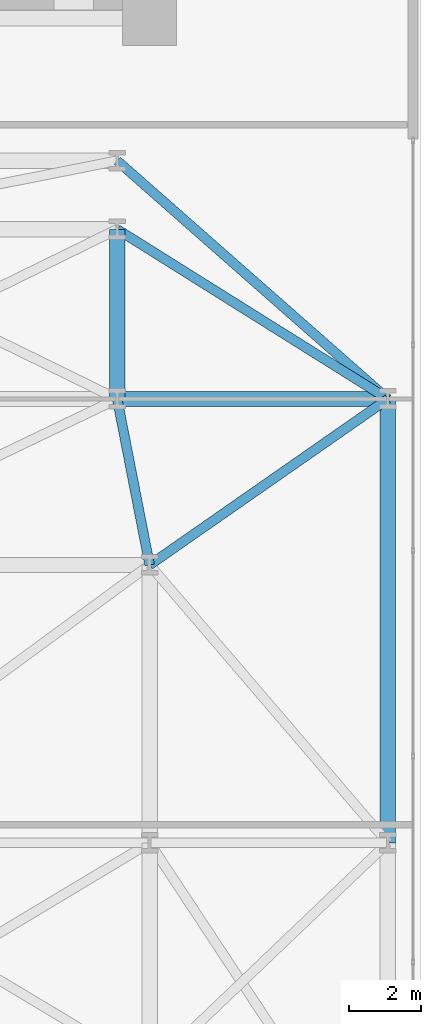
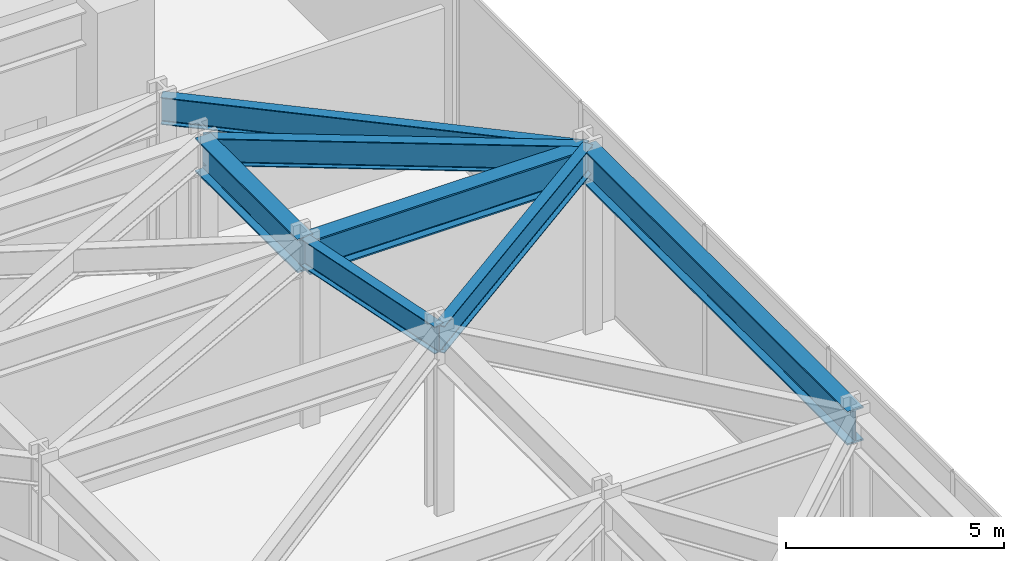
# One storey, part 22 of 31: 7 beams.
"""IFC4 building model written with IfcOpenShell, lengths in metres."""

from ifc_helpers import new_model, si_unit, direction, frame, origin, origin_2d, place, context, subcontext, project, spatial, i_section, extrude, material, material_profile, profile_set, type_object, element, save


model = new_model("IFC4")

# Units and contexts
model_context = context("Model", 3, precision=1e-05, world=origin(), true_north=direction((0.0, 1.0)))
body_context = subcontext(model_context, "Body", "Model", "MODEL_VIEW")
ifc_project = project(units=[si_unit("LENGTHUNIT", "METRE"), si_unit("AREAUNIT", "SQUARE_METRE"), si_unit("VOLUMEUNIT", "CUBIC_METRE"), si_unit("PLANEANGLEUNIT", "RADIAN"), si_unit("MASSUNIT", "GRAM", prefix="KILO")], contexts=[model_context])

# Site, building, storey
site_placement = place(None, origin())
site = spatial("IfcSite", under=ifc_project, at=site_placement, CompositionType="ELEMENT")
building_placement = place(site_placement, origin())
building = spatial("IfcBuilding", under=site, at=building_placement, Name="Kravanh Interchange Tower", CompositionType="ELEMENT")
storey_placement = place(building_placement, origin())
storey = spatial("IfcBuildingStorey", under=building, at=storey_placement, Name="L00", CompositionType="ELEMENT", Elevation=0.0)

# Beams
ifc_material_1 = material(Name="Structural Steel S450", Category="steel")
ifc_material_profile_1 = material_profile(ifc_material_1, i_section(OverallWidth=0.423095703125, OverallDepth=0.947998046875, WebThickness=0.02392578125, FlangeThickness=0.042724609375, FilletRadius=0.028076171875, at=origin_2d()), Name="W36X302")
ifc_profile_set_1 = profile_set([ifc_material_profile_1], Name="Structural Steel S450")
beam_type_1 = type_object("IfcBeamType", Name="Floor Beam W36X302 Structural Steel S450", PredefinedType="BEAM", material=ifc_profile_set_1)
beam_1_placement = place(storey_placement, frame((65.60009765625, 26.800048828125, 4.656005859375), z_axis=(0.0, 1.0, 0.0), x_axis=(-1.0, 0.0, 0.0)))
element("IfcBeam", 1, at=beam_1_placement, inside=storey, type_object=beam_type_1, Name="L00 Primary Floor Girder 101", PredefinedType="BEAM", context=body_context, shape_type="SweptSolid", body=[
    extrude(i_section(OverallWidth=0.423095703125, OverallDepth=0.947998046875, WebThickness=0.02392578125, FlangeThickness=0.042724609375, FilletRadius=0.028076171875, at=origin_2d()), origin(), (0.0, 0.0, 1.0), 4.699951171875),
])
beam_2_placement = place(storey_placement, frame((65.60009765625, 26.800048828125, 4.656005859375), z_axis=(1.0, 0.0, 0.0), x_axis=(0.0, 1.0, 0.0)))
element("IfcBeam", 2, at=beam_2_placement, inside=storey, type_object=beam_type_1, Name="L00 Primary Floor Girder 102", PredefinedType="BEAM", context=body_context, shape_type="SweptSolid", body=[
    extrude(i_section(OverallWidth=0.423095703125, OverallDepth=0.947998046875, WebThickness=0.02392578125, FlangeThickness=0.042724609375, FilletRadius=0.028076171875, at=origin_2d()), origin(), (0.0, 0.0, 1.0), 7.5),
])
beam_3_placement = place(storey_placement, frame((73.10009765625, 14.5, 4.656005859375), z_axis=(0.0, 1.0, 0.0), x_axis=(-1.0, 0.0, 0.0)))
element("IfcBeam", 3, at=beam_3_placement, inside=storey, type_object=beam_type_1, Name="L00 Primary Floor Girder 128", PredefinedType="BEAM", context=body_context, shape_type="SweptSolid", body=[
    extrude(i_section(OverallWidth=0.423095703125, OverallDepth=0.947998046875, WebThickness=0.02392578125, FlangeThickness=0.042724609375, FilletRadius=0.028076171875, at=origin_2d()), origin(), (0.0, 0.0, 1.0), 12.300048828125),
])
ifc_material_2 = material(Name="Structural Steel S355", Category="steel")
ifc_material_profile_2 = material_profile(ifc_material_2, i_section(OverallWidth=0.26708984375, OverallDepth=0.761962890625, WebThickness=0.014404296875, FlangeThickness=0.021484375, FilletRadius=0.02490234375, at=origin_2d()), Name="W30X116")
ifc_profile_set_2 = profile_set([ifc_material_profile_2], Name="Structural Steel S355")
beam_type_2 = type_object("IfcBeamType", Name="Floor Spandrel W30X116 Structural Steel S355", PredefinedType="SPANDREL", material=ifc_profile_set_2)
beam_4_placement = place(storey_placement, frame((66.5, 22.199951171875, 4.7490234375), z_axis=(-0.191987614224, 0.981397348674, 0.0), x_axis=(-0.981397348674, -0.191987614224, 0.0)))
element("IfcBeam", 4, at=beam_4_placement, inside=storey, type_object=beam_type_2, Name="L00 Perimeter Spandrel 69", PredefinedType="SPANDREL", context=body_context, shape_type="SweptSolid", body=[
    extrude(i_section(OverallWidth=0.26708984375, OverallDepth=0.761962890625, WebThickness=0.014404296875, FlangeThickness=0.021484375, FilletRadius=0.02490234375, at=origin_2d()), origin(), (0.0, 0.0, 1.0), 4.687255859375),
])
beam_5_placement = place(storey_placement, frame((66.5, 22.199951171875, 4.7490234375), z_axis=(0.820396441235, 0.571795137447, 0.0), x_axis=(-0.571795137447, 0.820396441235, 0.0)))
element("IfcBeam", 5, at=beam_5_placement, inside=storey, type_object=beam_type_2, Name="L00 Perimeter Spandrel 70", PredefinedType="SPANDREL", context=body_context, shape_type="SweptSolid", body=[
    extrude(i_section(OverallWidth=0.26708984375, OverallDepth=0.761962890625, WebThickness=0.014404296875, FlangeThickness=0.021484375, FilletRadius=0.02490234375, at=origin_2d()), origin(), (0.0, 0.0, 1.0), 8.044921875),
])
beam_6_placement = place(storey_placement, frame((65.60009765625, 31.5, 4.7490234375), z_axis=(0.847365449363, -0.531010164899, 0.0), x_axis=(0.531010164899, 0.847365449363, 0.0)))
element("IfcBeam", 6, at=beam_6_placement, inside=storey, type_object=beam_type_2, Name="L00 Perimeter Spandrel 121", PredefinedType="SPANDREL", context=body_context, shape_type="SweptSolid", body=[
    extrude(i_section(OverallWidth=0.26708984375, OverallDepth=0.761962890625, WebThickness=0.014404296875, FlangeThickness=0.021484375, FilletRadius=0.02490234375, at=origin_2d()), origin(), (0.0, 0.0, 1.0), 8.85107421875),
])
beam_7_placement = place(storey_placement, frame((73.10009765625, 26.800048828125, 4.7490234375), z_axis=(-0.750720788639, 0.660619631487, 0.0), x_axis=(-0.660619631487, -0.750720788639, 0.0)))
element("IfcBeam", 7, at=beam_7_placement, inside=storey, type_object=beam_type_2, Name="L00 Perimeter Spandrel 129", PredefinedType="SPANDREL", context=body_context, shape_type="SweptSolid", body=[
    extrude(i_section(OverallWidth=0.26708984375, OverallDepth=0.761962890625, WebThickness=0.014404296875, FlangeThickness=0.021484375, FilletRadius=0.02490234375, at=origin_2d()), origin(), (0.0, 0.0, 1.0), 9.990478515625),
])

save(model, "model.ifc")
